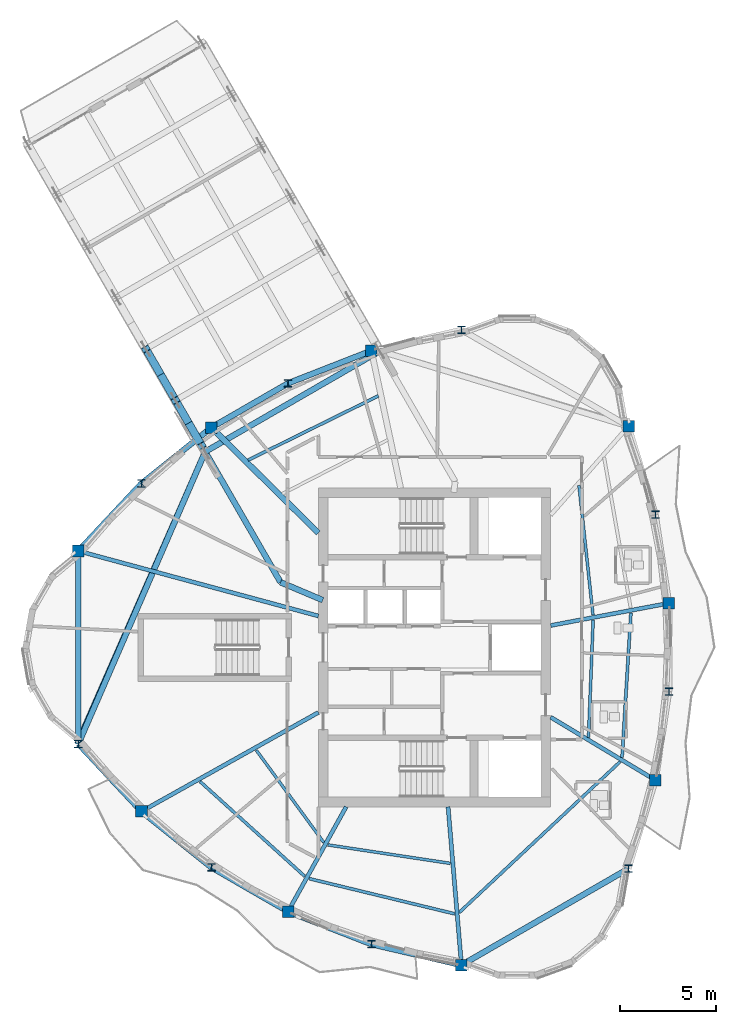
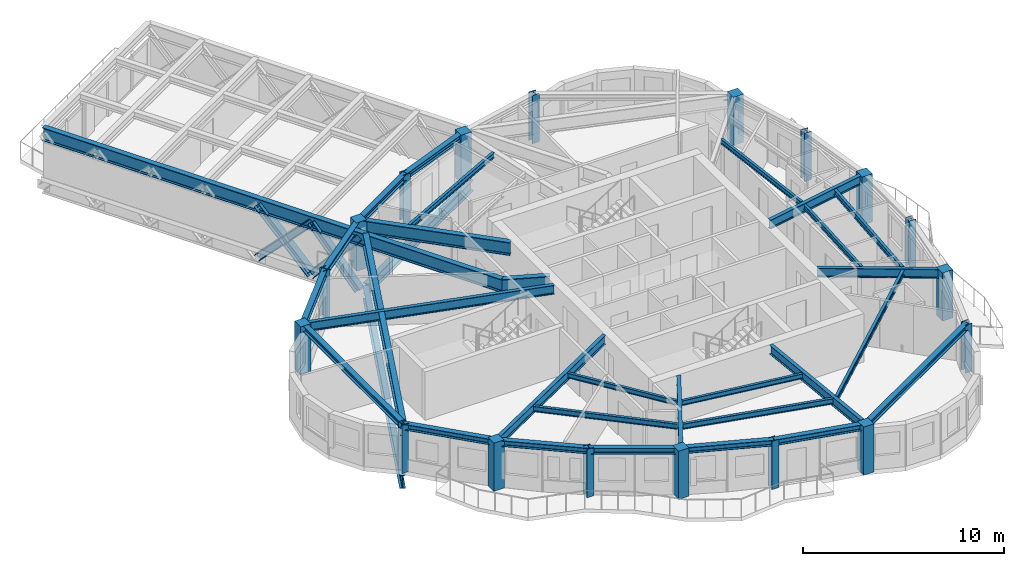
# One storey, part 1 of 14: 31 beams, 18 columns, 5 members.
"""IFC4 building model written with IfcOpenShell, lengths in metres."""

from ifc_helpers import new_model, si_unit, direction, frame, origin, origin_2d, place, context, subcontext, project, spatial, rectangle, i_section, extrude, source, transform, mapped, material, material_profile, profile_set, type_object, element, save


model = new_model("IFC4")

# Units and contexts
model_context = context("Model", 3, precision=1e-05, world=origin(), true_north=direction((0.0, 1.0)))
body_context = subcontext(model_context, "Body", "Model", "MODEL_VIEW")
ifc_project = project(units=[si_unit("LENGTHUNIT", "METRE"), si_unit("AREAUNIT", "SQUARE_METRE"), si_unit("VOLUMEUNIT", "CUBIC_METRE"), si_unit("PLANEANGLEUNIT", "RADIAN"), si_unit("MASSUNIT", "GRAM", prefix="KILO")], contexts=[model_context])

# Site, building, storey
site_placement = place(None, origin())
site = spatial("IfcSite", under=ifc_project, at=site_placement, CompositionType="ELEMENT")
building_placement = place(site_placement, origin())
building = spatial("IfcBuilding", under=site, at=building_placement, Name="Qafzar Sky-Pleat Residences", CompositionType="ELEMENT")
storey_placement = place(building_placement, frame((0.0, 0.0, 205.199951171875)))
storey = spatial("IfcBuildingStorey", under=building, at=storey_placement, Name="L61", CompositionType="ELEMENT", Elevation=205.199951171875)

# Columns
ifc_material_1 = material(Name="Concrete C50/60", Category="concrete")
ifc_material_profile_1 = material_profile(ifc_material_1, rectangle(XDim=0.60009765625, YDim=0.60009765625, at=origin_2d()), Name="RC 600x600")
ifc_profile_set_1 = profile_set([ifc_material_profile_1], Name="Concrete C50/60")
column_type_1 = type_object("IfcColumnType", Name="COL-RC-600", PredefinedType="COLUMN", material=ifc_profile_set_1)
shared_shape_1 = source(origin(), body_context, "Body", "SweptSolid", [
    extrude(rectangle(XDim=0.60009765625, YDim=0.60009765625, at=origin_2d()), origin(), (0.0, 0.0, 1.0), 2.93505859375),
])
for number, where, z_axis, x_axis, name in (
    (1, (11.794921875, 31.02294921875, 0.0), (0.0, 0.0, 1.0), (1.0, 0.0, 0.0), "L61 Perimeter Mega Column 1"),
    (2, (15.0859375, 17.458984375, 0.0), (0.0, 0.0, 1.0), (1.0, 0.0, 0.0), "L61 Perimeter Mega Column 3"),
    (3, (22.71875, 12.243408203125, 0.0), (0.0, 0.0, 1.0), (1.0, 0.0, 0.0), "L61 Perimeter Mega Column 5"),
    (4, (31.75244140625, 9.45458984375, 0.0), (0.0, 0.0, 1.0), (1.0, 0.0, 0.0), "L61 Perimeter Mega Column 7"),
    (5, (41.853515625, 19.08642578125, 0.0), (0.0, 0.0, 1.0), (1.0, 0.0, 0.0), "L61 Perimeter Mega Column 9"),
    (6, (42.55419921875, 28.304443359375, 0.0), (0.0, 0.0, 1.0), (1.0, 0.0, 0.0), "L61 Perimeter Mega Column 11"),
    (7, (40.452392578125, 37.5224609375, 0.0), (0.0, 0.0, 1.0), (1.0, 0.0, 0.0), "L61 Perimeter Mega Column 13"),
    (8, (27.060302734375, 41.454345703125, 0.0), (0.0, 0.0, 1.0), (1.0, 0.0, 0.0), "L61 Perimeter Mega Column 15"),
    (9, (18.727294921875, 37.4521484375, 0.0), (0.0, 0.0, 1.0), (1.0, 0.0, 0.0), "L61 Perimeter Mega Column 17"),
):
    element("IfcColumn", number, at=place(storey_placement, frame(where, z_axis=z_axis, x_axis=x_axis)), inside=storey, type_object=column_type_1, Name=name, PredefinedType="COLUMN", context=body_context, shape_type="MappedRepresentation", body=[
        mapped(shared_shape_1, transform((0.0, 0.0, 0.0), x_axis=(1.0, 0.0, 0.0), y_axis=(0.0, 1.0, 0.0), z_axis=(0.0, 0.0, 1.0), scale=1.0)),
    ])
ifc_material_2 = material(Name="Steel S355", Category="steel")
ifc_material_profile_2 = material_profile(ifc_material_2, i_section(OverallWidth=0.39794921875, OverallDepth=0.386962890625, WebThickness=0.01904296875, FlangeThickness=0.030029296875, FilletRadius=0.014892578125, at=origin_2d()), Name="HD 400x262")
ifc_profile_set_2 = profile_set([ifc_material_profile_2], Name="Steel S355")
column_type_2 = type_object("IfcColumnType", Name="COL-STL-HD262", PredefinedType="PILASTER", material=ifc_profile_set_2)
shared_shape_2 = source(origin(), body_context, "Body", "SweptSolid", [
    extrude(i_section(OverallWidth=0.39794921875, OverallDepth=0.386962890625, WebThickness=0.01904296875, FlangeThickness=0.030029296875, FilletRadius=0.014892578125, at=origin_2d()), origin(), (0.0, 0.0, 1.0), 2.93505859375),
])
for number, where, z_axis, x_axis, name in (
    (10, (11.794921875, 20.97705078125, 0.0), (0.0, 0.0, 1.0), (1.0, 0.0, 0.0), "L61 Perimeter Mega Column 2"),
    (11, (18.727294921875, 14.5478515625, 0.0), (0.0, 0.0, 1.0), (1.0, 0.0, 0.0), "L61 Perimeter Mega Column 4"),
    (12, (27.060302734375, 10.545654296875, 0.0), (0.0, 0.0, 1.0), (1.0, 0.0, 0.0), "L61 Perimeter Mega Column 6"),
    (13, (40.452392578125, 14.4775390625, 0.0), (0.0, 0.0, 1.0), (1.0, 0.0, 0.0), "L61 Perimeter Mega Column 8"),
    (14, (42.55419921875, 23.695556640625, 0.0), (0.0, 0.0, 1.0), (1.0, 0.0, 0.0), "L61 Perimeter Mega Column 10"),
    (15, (41.853515625, 32.91357421875, 0.0), (0.0, 0.0, 1.0), (1.0, 0.0, 0.0), "L61 Perimeter Mega Column 12"),
    (16, (31.75244140625, 42.54541015625, 0.0), (0.0, 0.0, 1.0), (1.0, 0.0, 0.0), "L61 Perimeter Mega Column 14"),
    (17, (22.71875, 39.756591796875, 0.0), (0.0, 0.0, 1.0), (1.0, 0.0, 0.0), "L61 Perimeter Mega Column 16"),
    (18, (15.0859375, 34.541015625, 0.0), (0.0, 0.0, 1.0), (1.0, 0.0, 0.0), "L61 Perimeter Mega Column 18"),
):
    element("IfcColumn", number, at=place(storey_placement, frame(where, z_axis=z_axis, x_axis=x_axis)), inside=storey, type_object=column_type_2, Name=name, PredefinedType="PILASTER", context=body_context, shape_type="MappedRepresentation", body=[
        mapped(shared_shape_2, transform((0.0, 0.0, 0.0), x_axis=(1.0, 0.0, 0.0), y_axis=(0.0, 1.0, 0.0), z_axis=(0.0, 0.0, 1.0), scale=1.0)),
    ])

# Beams
ifc_material_profile_3 = material_profile(ifc_material_2, i_section(OverallWidth=0.300048828125, OverallDepth=0.360107421875, WebThickness=0.012451171875, FlangeThickness=0.0224609375, FilletRadius=0.027099609375, at=origin_2d()), Name="HEB 360")
ifc_profile_set_3 = profile_set([ifc_material_profile_3], Name="Steel S355")
beam_type_1 = type_object("IfcBeamType", Name="BM-SPAN-HEB360", PredefinedType="SPANDREL", material=ifc_profile_set_3)
shared_shape_3 = source(origin(), body_context, "Body", "SweptSolid", [
    extrude(i_section(OverallWidth=0.300048828125, OverallDepth=0.360107421875, WebThickness=0.012451171875, FlangeThickness=0.0224609375, FilletRadius=0.027099609375, at=origin_2d()), origin(), (0.0, 0.0, 1.0), 10.0458984375),
])
for number, where, z_axis, x_axis, name in (
    (19, (11.794921875, 31.02294921875, 2.7529296875), (0.0, -1.0, 0.0), (1.0, 0.0, 0.0), "L61 Perimeter Spandrel Beam 1"),
    (20, (31.75244140625, 9.45458984375, 2.7529296875), (0.866024107753, 0.500002244785, 0.0), (-0.500002244785, 0.866024107753, 0.0), "L61 Perimeter Spandrel Beam 7"),
):
    element("IfcBeam", number, at=place(storey_placement, frame(where, z_axis=z_axis, x_axis=x_axis)), inside=storey, type_object=beam_type_1, Name=name, PredefinedType="SPANDREL", context=body_context, shape_type="MappedRepresentation", body=[
        mapped(shared_shape_3, transform((0.0, 0.0, 0.0), x_axis=(1.0, 0.0, 0.0), y_axis=(0.0, 1.0, 0.0), z_axis=(0.0, 0.0, 1.0), scale=1.0)),
    ])
shared_shape_4 = source(origin(), body_context, "Body", "SweptSolid", [
    extrude(i_section(OverallWidth=0.300048828125, OverallDepth=0.360107421875, WebThickness=0.012451171875, FlangeThickness=0.0224609375, FilletRadius=0.027099609375, at=origin_2d()), origin(), (0.0, 0.0, 1.0), 4.8173828125),
])
for number, where, z_axis, x_axis, name in (
    (21, (11.794921875, 20.97705078125, 2.7529296875), (0.683148410422, -0.730279569301, 0.0), (0.730279569301, 0.683148410422, 0.0), "L61 Perimeter Spandrel Beam 2"),
    (22, (27.060302734375, 10.545654296875, 2.7529296875), (0.974014007378, -0.226487777666, 0.0), (0.226487777666, 0.974014007378, 0.0), "L61 Perimeter Spandrel Beam 6"),
    (23, (15.0859375, 34.541015625, 2.7529296875), (-0.683148410422, -0.730279569301, 0.0), (0.730279569301, -0.683148410422, 0.0), "L61 Perimeter Spandrel Beam 18"),
):
    element("IfcBeam", number, at=place(storey_placement, frame(where, z_axis=z_axis, x_axis=x_axis)), inside=storey, type_object=beam_type_1, Name=name, PredefinedType="SPANDREL", context=body_context, shape_type="MappedRepresentation", body=[
        mapped(shared_shape_4, transform((0.0, 0.0, 0.0), x_axis=(1.0, 0.0, 0.0), y_axis=(0.0, 1.0, 0.0), z_axis=(0.0, 0.0, 1.0), scale=1.0)),
    ])
shared_shape_5 = source(origin(), body_context, "Body", "SweptSolid", [
    extrude(i_section(OverallWidth=0.300048828125, OverallDepth=0.360107421875, WebThickness=0.012451171875, FlangeThickness=0.0224609375, FilletRadius=0.027099609375, at=origin_2d()), origin(), (0.0, 0.0, 1.0), 4.662109375),
])
for number, where, z_axis, x_axis, name in (
    (24, (15.0859375, 17.458984375, 2.7529296875), (0.781073131739, -0.624439559025, 0.0), (0.624439559025, 0.781073131739, 0.0), "L61 Perimeter Spandrel Beam 3"),
    (25, (18.727294921875, 37.4521484375, 2.7529296875), (-0.781073131739, -0.624439559025, 0.0), (0.624439559025, -0.781073131739, 0.0), "L61 Perimeter Spandrel Beam 17"),
):
    element("IfcBeam", number, at=place(storey_placement, frame(where, z_axis=z_axis, x_axis=x_axis)), inside=storey, type_object=beam_type_1, Name=name, PredefinedType="SPANDREL", context=body_context, shape_type="MappedRepresentation", body=[
        mapped(shared_shape_5, transform((0.0, 0.0, 0.0), x_axis=(1.0, 0.0, 0.0), y_axis=(0.0, 1.0, 0.0), z_axis=(0.0, 0.0, 1.0), scale=1.0)),
    ])
shared_shape_6 = source(origin(), body_context, "Body", "SweptSolid", [
    extrude(i_section(OverallWidth=0.300048828125, OverallDepth=0.360107421875, WebThickness=0.012451171875, FlangeThickness=0.0224609375, FilletRadius=0.027099609375, at=origin_2d()), origin(), (0.0, 0.0, 1.0), 4.60888671875),
])
for number, where, z_axis, x_axis, name in (
    (26, (18.727294921875, 14.5478515625, 2.7529296875), (0.8660276872, -0.499996044987, 0.0), (0.499996044987, 0.8660276872, 0.0), "L61 Perimeter Spandrel Beam 4"),
    (27, (22.71875, 39.756591796875, 2.7529296875), (-0.8660276872, -0.499996044987, 0.0), (0.499996044987, -0.8660276872, 0.0), "L61 Perimeter Spandrel Beam 16"),
):
    element("IfcBeam", number, at=place(storey_placement, frame(where, z_axis=z_axis, x_axis=x_axis)), inside=storey, type_object=beam_type_1, Name=name, PredefinedType="SPANDREL", context=body_context, shape_type="MappedRepresentation", body=[
        mapped(shared_shape_6, transform((0.0, 0.0, 0.0), x_axis=(1.0, 0.0, 0.0), y_axis=(0.0, 1.0, 0.0), z_axis=(0.0, 0.0, 1.0), scale=1.0)),
    ])
shared_shape_7 = source(origin(), body_context, "Body", "SweptSolid", [
    extrude(i_section(OverallWidth=0.300048828125, OverallDepth=0.360107421875, WebThickness=0.012451171875, FlangeThickness=0.0224609375, FilletRadius=0.027099609375, at=origin_2d()), origin(), (0.0, 0.0, 1.0), 4.66162109375),
])
for number, where, z_axis, x_axis, name in (
    (28, (22.71875, 12.243408203125, 2.7529296875), (0.931323889652, -0.364191999586, 0.0), (0.364191999586, 0.931323889652, 0.0), "L61 Perimeter Spandrel Beam 5"),
    (29, (27.060302734375, 41.454345703125, 2.7529296875), (-0.931323889652, -0.364191999586, 0.0), (0.364191999586, -0.931323889652, 0.0), "L61 Perimeter Spandrel Beam 15"),
):
    element("IfcBeam", number, at=place(storey_placement, frame(where, z_axis=z_axis, x_axis=x_axis)), inside=storey, type_object=beam_type_1, Name=name, PredefinedType="SPANDREL", context=body_context, shape_type="MappedRepresentation", body=[
        mapped(shared_shape_7, transform((0.0, 0.0, 0.0), x_axis=(1.0, 0.0, 0.0), y_axis=(0.0, 1.0, 0.0), z_axis=(0.0, 0.0, 1.0), scale=1.0)),
    ])
ifc_material_profile_4 = material_profile(ifc_material_2, i_section(OverallWidth=0.2099609375, OverallDepth=0.550048828125, WebThickness=0.010986328125, FlangeThickness=0.01708984375, FilletRadius=0.02392578125, at=origin_2d()), Name="IPE 550")
ifc_profile_set_4 = profile_set([ifc_material_profile_4], Name="Steel S355")
beam_type_2 = type_object("IfcBeamType", Name="BM-SEC-IPE550", PredefinedType="BEAM", material=ifc_profile_set_4)
shared_shape_8 = source(origin(), body_context, "Body", "SweptSolid", [
    extrude(i_section(OverallWidth=0.2099609375, OverallDepth=0.550048828125, WebThickness=0.010986328125, FlangeThickness=0.01708984375, FilletRadius=0.02392578125, at=origin_2d()), origin(), (0.0, 0.0, 1.0), 12.955322265625),
])
beam_1_placement = place(storey_placement, frame((11.794921875, 31.02294921875, 2.657958984375), z_axis=(0.96525657986, -0.261303913167, 0.0), x_axis=(0.261303913167, 0.96525657986, 0.0)))
element("IfcBeam", 30, at=beam_1_placement, inside=storey, type_object=beam_type_2, Name="L61 Radial Floor Girder 1", PredefinedType="BEAM", context=body_context, shape_type="MappedRepresentation", body=[
    mapped(shared_shape_8, transform((0.0, 0.0, 0.0), x_axis=(1.0, 0.0, 0.0), y_axis=(0.0, 1.0, 0.0), z_axis=(0.0, 0.0, 1.0), scale=1.0)),
])
shared_shape_9 = source(origin(), body_context, "Body", "SweptSolid", [
    extrude(i_section(OverallWidth=0.2099609375, OverallDepth=0.550048828125, WebThickness=0.010986328125, FlangeThickness=0.01708984375, FilletRadius=0.02392578125, at=origin_2d()), origin(), (0.0, 0.0, 1.0), 10.55859375),
])
beam_2_placement = place(storey_placement, frame((15.0859375, 17.458984375, 2.657958984375), z_axis=(0.872673146655, 0.488304801438, 0.0), x_axis=(-0.488304801438, 0.872673146655, 0.0)))
element("IfcBeam", 31, at=beam_2_placement, inside=storey, type_object=beam_type_2, Name="L61 Radial Floor Girder 3", PredefinedType="BEAM", context=body_context, shape_type="MappedRepresentation", body=[
    mapped(shared_shape_9, transform((0.0, 0.0, 0.0), x_axis=(1.0, 0.0, 0.0), y_axis=(0.0, 1.0, 0.0), z_axis=(0.0, 0.0, 1.0), scale=1.0)),
])
shared_shape_10 = source(origin(), body_context, "Body", "SweptSolid", [
    extrude(i_section(OverallWidth=0.2099609375, OverallDepth=0.550048828125, WebThickness=0.010986328125, FlangeThickness=0.01708984375, FilletRadius=0.02392578125, at=origin_2d()), origin(), (0.0, 0.0, 1.0), 6.23974609375),
])
beam_3_placement = place(storey_placement, frame((22.71875, 12.243408203125, 2.657958984375), z_axis=(0.48508473236, 0.874467153432, 0.0), x_axis=(-0.874467153432, 0.48508473236, 0.0)))
element("IfcBeam", 32, at=beam_3_placement, inside=storey, type_object=beam_type_2, Name="L61 Radial Floor Girder 5", PredefinedType="BEAM", context=body_context, shape_type="MappedRepresentation", body=[
    mapped(shared_shape_10, transform((0.0, 0.0, 0.0), x_axis=(1.0, 0.0, 0.0), y_axis=(0.0, 1.0, 0.0), z_axis=(0.0, 0.0, 1.0), scale=1.0)),
])
shared_shape_11 = source(origin(), body_context, "Body", "SweptSolid", [
    extrude(i_section(OverallWidth=0.2099609375, OverallDepth=0.550048828125, WebThickness=0.010986328125, FlangeThickness=0.01708984375, FilletRadius=0.02392578125, at=origin_2d()), origin(), (0.0, 0.0, 1.0), 8.27490234375),
])
beam_4_placement = place(storey_placement, frame((31.75244140625, 9.45458984375, 2.657958984375), z_axis=(-0.084439601207, 0.996428599423, 0.0), x_axis=(-0.996428599423, -0.084439601207, 0.0)))
element("IfcBeam", 33, at=beam_4_placement, inside=storey, type_object=beam_type_2, Name="L61 Radial Floor Girder 7", PredefinedType="BEAM", context=body_context, shape_type="MappedRepresentation", body=[
    mapped(shared_shape_11, transform((0.0, 0.0, 0.0), x_axis=(1.0, 0.0, 0.0), y_axis=(0.0, 1.0, 0.0), z_axis=(0.0, 0.0, 1.0), scale=1.0)),
])
shared_shape_12 = source(origin(), body_context, "Body", "SweptSolid", [
    extrude(i_section(OverallWidth=0.2099609375, OverallDepth=0.550048828125, WebThickness=0.010986328125, FlangeThickness=0.01708984375, FilletRadius=0.02392578125, at=origin_2d()), origin(), (0.0, 0.0, 1.0), 6.36279296875),
])
beam_5_placement = place(storey_placement, frame((41.853515625, 19.08642578125, 2.657958984375), z_axis=(-0.857116893235, 0.515121957726, 0.0), x_axis=(-0.515121957726, -0.857116893235, 0.0)))
element("IfcBeam", 34, at=beam_5_placement, inside=storey, type_object=beam_type_2, Name="L61 Radial Floor Girder 9", PredefinedType="BEAM", context=body_context, shape_type="MappedRepresentation", body=[
    mapped(shared_shape_12, transform((0.0, 0.0, 0.0), x_axis=(1.0, 0.0, 0.0), y_axis=(0.0, 1.0, 0.0), z_axis=(0.0, 0.0, 1.0), scale=1.0)),
])
shared_shape_13 = source(origin(), body_context, "Body", "SweptSolid", [
    extrude(i_section(OverallWidth=0.2099609375, OverallDepth=0.550048828125, WebThickness=0.010986328125, FlangeThickness=0.01708984375, FilletRadius=0.02392578125, at=origin_2d()), origin(), (0.0, 0.0, 1.0), 6.262939453125),
])
beam_6_placement = place(storey_placement, frame((42.55419921875, 28.304443359375, 2.657958984375), z_axis=(-0.982634843159, -0.185549898978, 0.0), x_axis=(0.185549898978, -0.982634843159, 0.0)))
element("IfcBeam", 35, at=beam_6_placement, inside=storey, type_object=beam_type_2, Name="L61 Radial Floor Girder 11", PredefinedType="BEAM", context=body_context, shape_type="MappedRepresentation", body=[
    mapped(shared_shape_13, transform((0.0, 0.0, 0.0), x_axis=(1.0, 0.0, 0.0), y_axis=(0.0, 1.0, 0.0), z_axis=(0.0, 0.0, 1.0), scale=1.0)),
])
ifc_material_3 = material(Name="Steel S460", Category="steel")
ifc_material_profile_5 = material_profile(ifc_material_3, i_section(OverallWidth=0.300048828125, OverallDepth=0.800048828125, WebThickness=0.017578125, FlangeThickness=0.032958984375, FilletRadius=0.030029296875, at=origin_2d()), Name="HEB 800")
ifc_profile_set_5 = profile_set([ifc_material_profile_5], Name="Steel S460")
beam_type_3 = type_object("IfcBeamType", Name="BM-CHORD-HEB800", PredefinedType="BEAM", material=ifc_profile_set_5)
shared_shape_14 = source(origin(), body_context, "Body", "SweptSolid", [
    extrude(i_section(OverallWidth=0.300048828125, OverallDepth=0.800048828125, WebThickness=0.017578125, FlangeThickness=0.032958984375, FilletRadius=0.030029296875, at=origin_2d()), origin(), (0.0, 0.0, 1.0), 7.823486328125),
])
beam_7_placement = place(storey_placement, frame((18.727294921875, 37.4521484375, 2.532958984375), z_axis=(0.71231451295, -0.701860409654, 0.0), x_axis=(0.701860409654, 0.71231451295, 0.0)))
element("IfcBeam", 36, at=beam_7_placement, inside=storey, type_object=beam_type_3, Name="L61 Radial Floor Girder 17", PredefinedType="BEAM", context=body_context, shape_type="MappedRepresentation", body=[
    mapped(shared_shape_14, transform((0.0, 0.0, 0.0), x_axis=(1.0, 0.0, 0.0), y_axis=(0.0, 1.0, 0.0), z_axis=(0.0, 0.0, 1.0), scale=1.0)),
])
ifc_material_profile_6 = material_profile(ifc_material_2, i_section(OverallWidth=0.159912109375, OverallDepth=0.330078125, WebThickness=0.007568359375, FlangeThickness=0.011474609375, FilletRadius=0.01806640625, at=origin_2d()), Name="IPE 330")
ifc_profile_set_6 = profile_set([ifc_material_profile_6], Name="Steel S355")
beam_type_4 = type_object("IfcBeamType", Name="BM-JST-IPE330", PredefinedType="JOIST", material=ifc_profile_set_6)
shared_shape_15 = source(origin(), body_context, "Body", "SweptSolid", [
    extrude(i_section(OverallWidth=0.159912109375, OverallDepth=0.330078125, WebThickness=0.007568359375, FlangeThickness=0.011474609375, FilletRadius=0.01806640625, at=origin_2d()), origin(), (0.0, 0.0, 1.0), 7.356689453125),
])
beam_8_placement = place(storey_placement, frame((18.134521484375, 19.018310546875, 2.76806640625), z_axis=(0.741219639236, -0.671262576352, 0.0), x_axis=(0.671262576352, 0.741219639236, 0.0)))
element("IfcBeam", 37, at=beam_8_placement, inside=storey, type_object=beam_type_4, Name="L61 Outer Secondary Floor Joist 2", PredefinedType="JOIST", context=body_context, shape_type="MappedRepresentation", body=[
    mapped(shared_shape_15, transform((0.0, 0.0, 0.0), x_axis=(1.0, 0.0, 0.0), y_axis=(0.0, 1.0, 0.0), z_axis=(0.0, 0.0, 1.0), scale=1.0)),
])
shared_shape_16 = source(origin(), body_context, "Body", "SweptSolid", [
    extrude(i_section(OverallWidth=0.159912109375, OverallDepth=0.330078125, WebThickness=0.007568359375, FlangeThickness=0.011474609375, FilletRadius=0.01806640625, at=origin_2d()), origin(), (0.0, 0.0, 1.0), 7.797607421875),
])
beam_9_placement = place(storey_placement, frame((23.818603515625, 13.957763671875, 2.76806640625), z_axis=(0.971984853244, -0.235043496112, 0.0), x_axis=(0.235043496112, 0.971984853244, 0.0)))
element("IfcBeam", 38, at=beam_9_placement, inside=storey, type_object=beam_type_4, Name="L61 Outer Secondary Floor Joist 3", PredefinedType="JOIST", context=body_context, shape_type="MappedRepresentation", body=[
    mapped(shared_shape_16, transform((0.0, 0.0, 0.0), x_axis=(1.0, 0.0, 0.0), y_axis=(0.0, 1.0, 0.0), z_axis=(0.0, 0.0, 1.0), scale=1.0)),
])
shared_shape_17 = source(origin(), body_context, "Body", "SweptSolid", [
    extrude(i_section(OverallWidth=0.159912109375, OverallDepth=0.330078125, WebThickness=0.007568359375, FlangeThickness=0.011474609375, FilletRadius=0.01806640625, at=origin_2d()), origin(), (0.0, 0.0, 1.0), 11.489501953125),
])
beam_10_placement = place(storey_placement, frame((31.627197265625, 12.185546875, 2.76806640625), z_axis=(0.729600815032, 0.683873270939, 0.0), x_axis=(-0.683873270939, 0.729600815032, 0.0)))
element("IfcBeam", 39, at=beam_10_placement, inside=storey, type_object=beam_type_4, Name="L61 Outer Secondary Floor Joist 4", PredefinedType="JOIST", context=body_context, shape_type="MappedRepresentation", body=[
    mapped(shared_shape_17, transform((0.0, 0.0, 0.0), x_axis=(1.0, 0.0, 0.0), y_axis=(0.0, 1.0, 0.0), z_axis=(0.0, 0.0, 1.0), scale=1.0)),
])
shared_shape_18 = source(origin(), body_context, "Body", "SweptSolid", [
    extrude(i_section(OverallWidth=0.159912109375, OverallDepth=0.330078125, WebThickness=0.007568359375, FlangeThickness=0.011474609375, FilletRadius=0.01806640625, at=origin_2d()), origin(), (0.0, 0.0, 1.0), 7.5419921875),
])
beam_11_placement = place(storey_placement, frame((40.11669921875, 20.27001953125, 2.76806640625), z_axis=(0.060987642663, 0.998138521169, 0.0), x_axis=(-0.998138521169, 0.060987642663, 0.0)))
element("IfcBeam", 40, at=beam_11_placement, inside=storey, type_object=beam_type_4, Name="L61 Outer Secondary Floor Joist 5", PredefinedType="JOIST", context=body_context, shape_type="MappedRepresentation", body=[
    mapped(shared_shape_18, transform((0.0, 0.0, 0.0), x_axis=(1.0, 0.0, 0.0), y_axis=(0.0, 1.0, 0.0), z_axis=(0.0, 0.0, 1.0), scale=1.0)),
])
shared_shape_19 = source(origin(), body_context, "Body", "SweptSolid", [
    extrude(i_section(OverallWidth=0.159912109375, OverallDepth=0.330078125, WebThickness=0.007568359375, FlangeThickness=0.011474609375, FilletRadius=0.01806640625, at=origin_2d()), origin(), (0.0, 0.0, 1.0), 7.576171875),
])
beam_12_placement = place(storey_placement, frame((27.426513671875, 39.105224609375, 2.76806640625), z_axis=(-0.896888380861, -0.442256975386, 0.0), x_axis=(0.442256975386, -0.896888380861, 0.0)))
element("IfcBeam", 41, at=beam_12_placement, inside=storey, type_object=beam_type_4, Name="L61 Outer Secondary Floor Joist 8", PredefinedType="JOIST", context=body_context, shape_type="MappedRepresentation", body=[
    mapped(shared_shape_19, transform((0.0, 0.0, 0.0), x_axis=(1.0, 0.0, 0.0), y_axis=(0.0, 1.0, 0.0), z_axis=(0.0, 0.0, 1.0), scale=1.0)),
])
ifc_material_profile_7 = material_profile(ifc_material_2, i_section(OverallWidth=0.14990234375, OverallDepth=0.300048828125, WebThickness=0.007080078125, FlangeThickness=0.0107421875, FilletRadius=0.014892578125, at=origin_2d()), Name="IPE 300")
ifc_profile_set_7 = profile_set([ifc_material_profile_7], Name="Steel S355")
beam_type_5 = type_object("IfcBeamType", Name="BM-JST-IPE300", PredefinedType="JOIST", material=ifc_profile_set_7)
shared_shape_20 = source(origin(), body_context, "Body", "SweptSolid", [
    extrude(i_section(OverallWidth=0.14990234375, OverallDepth=0.300048828125, WebThickness=0.007080078125, FlangeThickness=0.0107421875, FilletRadius=0.014892578125, at=origin_2d()), origin(), (0.0, 0.0, 1.0), 5.953125),
])
beam_13_placement = place(storey_placement, frame((21.0625, 20.64990234375, 2.782958984375), z_axis=(0.590264364732, -0.807209997292, 0.0), x_axis=(0.807209997292, 0.590264364732, 0.0)))
element("IfcBeam", 42, at=beam_13_placement, inside=storey, type_object=beam_type_5, Name="L61 Inner Secondary Floor Joist 2", PredefinedType="JOIST", context=body_context, shape_type="MappedRepresentation", body=[
    mapped(shared_shape_20, transform((0.0, 0.0, 0.0), x_axis=(1.0, 0.0, 0.0), y_axis=(0.0, 1.0, 0.0), z_axis=(0.0, 0.0, 1.0), scale=1.0)),
])
shared_shape_21 = source(origin(), body_context, "Body", "SweptSolid", [
    extrude(i_section(OverallWidth=0.14990234375, OverallDepth=0.300048828125, WebThickness=0.007080078125, FlangeThickness=0.0107421875, FilletRadius=0.014892578125, at=origin_2d()), origin(), (0.0, 0.0, 1.0), 6.454345703125),
])
beam_14_placement = place(storey_placement, frame((24.78955078125, 15.715576171875, 2.782958984375), z_axis=(0.988786865578, -0.149333634723, 0.0), x_axis=(0.149333634723, 0.988786865578, 0.0)))
element("IfcBeam", 43, at=beam_14_placement, inside=storey, type_object=beam_type_5, Name="L61 Inner Secondary Floor Joist 3", PredefinedType="JOIST", context=body_context, shape_type="MappedRepresentation", body=[
    mapped(shared_shape_21, transform((0.0, 0.0, 0.0), x_axis=(1.0, 0.0, 0.0), y_axis=(0.0, 1.0, 0.0), z_axis=(0.0, 0.0, 1.0), scale=1.0)),
])
shared_shape_22 = source(origin(), body_context, "Body", "SweptSolid", [
    extrude(i_section(OverallWidth=0.14990234375, OverallDepth=0.300048828125, WebThickness=0.007080078125, FlangeThickness=0.0107421875, FilletRadius=0.014892578125, at=origin_2d()), origin(), (0.0, 0.0, 1.0), 6.111572265625),
])
beam_15_placement = place(storey_placement, frame((38.36865234375, 21.319091796875, 2.782958984375), z_axis=(0.039508568351, 0.999219231714, 0.0), x_axis=(-0.999219231714, 0.039508568351, 0.0)))
element("IfcBeam", 44, at=beam_15_placement, inside=storey, type_object=beam_type_5, Name="L61 Inner Secondary Floor Joist 5", PredefinedType="JOIST", context=body_context, shape_type="MappedRepresentation", body=[
    mapped(shared_shape_22, transform((0.0, 0.0, 0.0), x_axis=(1.0, 0.0, 0.0), y_axis=(0.0, 1.0, 0.0), z_axis=(0.0, 0.0, 1.0), scale=1.0)),
])
shared_shape_23 = source(origin(), body_context, "Body", "SweptSolid", [
    extrude(i_section(OverallWidth=0.14990234375, OverallDepth=0.300048828125, WebThickness=0.007080078125, FlangeThickness=0.0107421875, FilletRadius=0.014892578125, at=origin_2d()), origin(), (0.0, 0.0, 1.0), 6.7744140625),
])
beam_16_placement = place(storey_placement, frame((38.60107421875, 27.695068359375, 2.782958984375), z_axis=(-0.107432741117, 0.994212354649, 0.0), x_axis=(-0.994212354649, -0.107432741117, 0.0)))
element("IfcBeam", 45, at=beam_16_placement, inside=storey, type_object=beam_type_5, Name="L61 Inner Secondary Floor Joist 6", PredefinedType="JOIST", context=body_context, shape_type="MappedRepresentation", body=[
    mapped(shared_shape_23, transform((0.0, 0.0, 0.0), x_axis=(1.0, 0.0, 0.0), y_axis=(0.0, 1.0, 0.0), z_axis=(0.0, 0.0, 1.0), scale=1.0)),
])
shared_shape_24 = source(origin(), body_context, "Body", "SweptSolid", [
    extrude(i_section(OverallWidth=0.300048828125, OverallDepth=0.800048828125, WebThickness=0.017578125, FlangeThickness=0.032958984375, FilletRadius=0.030029296875, at=origin_2d()), origin(), (0.0, 0.0, 1.0), 2.385009765625),
])
beam_17_placement = place(storey_placement, frame((22.328369140625, 29.393798828125, 2.531005859375), z_axis=(0.920982791403, -0.389603257095, 0.0), x_axis=(0.389603257095, 0.920982791403, 0.0)))
element("IfcBeam", 46, at=beam_17_placement, inside=storey, type_object=beam_type_3, Name="L61 SB-5 Core Back-Span Tie Girder L", PredefinedType="BEAM", context=body_context, shape_type="MappedRepresentation", body=[
    mapped(shared_shape_24, transform((0.0, 0.0, 0.0), x_axis=(1.0, 0.0, 0.0), y_axis=(0.0, 1.0, 0.0), z_axis=(0.0, 0.0, 1.0), scale=1.0)),
])
shared_shape_25 = source(origin(), body_context, "Body", "SweptSolid", [
    extrude(i_section(OverallWidth=0.300048828125, OverallDepth=0.800048828125, WebThickness=0.017578125, FlangeThickness=0.032958984375, FilletRadius=0.030029296875, at=origin_2d()), origin(), (0.0, 0.0, 1.0), 26.399169921875),
])
beam_18_placement = place(storey_placement, frame((22.328369140625, 29.393798828125, 2.532958984375), z_axis=(-0.49999730459, 0.866026959975, 0.0), x_axis=(-0.866026959975, -0.49999730459, 0.0)))
element("IfcBeam", 47, at=beam_18_placement, inside=storey, type_object=beam_type_3, Name="L61 SB-5 Truss Chord L1", PredefinedType="BEAM", context=body_context, shape_type="MappedRepresentation", body=[
    mapped(shared_shape_25, transform((0.0, 0.0, 0.0), x_axis=(1.0, 0.0, 0.0), y_axis=(0.0, 1.0, 0.0), z_axis=(0.0, 0.0, 1.0), scale=1.0)),
])

# Members
ifc_material_profile_8 = material_profile(ifc_material_3, i_section(OverallWidth=0.300048828125, OverallDepth=0.64990234375, WebThickness=0.01611328125, FlangeThickness=0.031005859375, FilletRadius=0.027099609375, at=origin_2d()), Name="HEB 650")
ifc_profile_set_8 = profile_set([ifc_material_profile_8], Name="Steel S460")
member_type_1 = type_object("IfcMemberType", Name="MEM-SB-CHORD", PredefinedType="CHORD", material=ifc_profile_set_8)
shared_shape_26 = source(origin(), body_context, "Body", "SweptSolid", [
    extrude(i_section(OverallWidth=0.300048828125, OverallDepth=0.64990234375, WebThickness=0.01611328125, FlangeThickness=0.031005859375, FilletRadius=0.027099609375, at=origin_2d()), origin(), (0.0, 0.0, 1.0), 10.5),
])
member_placement = place(storey_placement, frame((18.4033203125, 36.192138671875, -0.47705078125), z_axis=(0.866025284237, 0.500000207062, 0.0), x_axis=(-0.500000207062, 0.866025284237, 0.0)))
element("IfcMember", 48, at=member_placement, inside=storey, type_object=member_type_1, Name="L61 SB-5 Truss Root Tie Chord", PredefinedType="CHORD", context=body_context, shape_type="MappedRepresentation", body=[
    mapped(shared_shape_26, transform((0.0, 0.0, 0.0), x_axis=(1.0, 0.0, 0.0), y_axis=(0.0, 1.0, 0.0), z_axis=(0.0, 0.0, 1.0), scale=1.0)),
])
ifc_material_profile_9 = material_profile(ifc_material_3, i_section(OverallWidth=0.40087890625, OverallDepth=0.39892578125, WebThickness=0.02294921875, FlangeThickness=0.035888671875, FilletRadius=0.014892578125, at=origin_2d()), Name="HD 400x314")
ifc_profile_set_9 = profile_set([ifc_material_profile_9], Name="Steel S460")
member_type_2 = type_object("IfcMemberType", Name="MEM-SB-DIAG", PredefinedType="BRACE", material=ifc_profile_set_9)
shared_shape_27 = source(origin(), body_context, "Body", "SweptSolid", [
    extrude(i_section(OverallWidth=0.40087890625, OverallDepth=0.39892578125, WebThickness=0.02294921875, FlangeThickness=0.035888671875, FilletRadius=0.014892578125, at=origin_2d()), origin(), (0.0, 0.0, 1.0), 4.207275390625),
])
for number, where, z_axis, x_axis, name in (
    (49, (18.223388671875, 36.50390625, -0.6669921875), (-0.324617020075, 0.562247820433, 0.760592649646), (-0.866023343127, -0.500003569146, 0.0), "L61 SB-5 Truss Web Diagonal L1A"),
    (50, (18.223388671875, 36.50390625, 2.532958984375), (-0.324617020075, 0.562247820433, -0.760592649646), (-0.866023343127, -0.500003569146, 0.0), "L61 SB-5 Truss Web Diagonal L1B"),
):
    element("IfcMember", number, at=place(storey_placement, frame(where, z_axis=z_axis, x_axis=x_axis)), inside=storey, type_object=member_type_2, Name=name, PredefinedType="BRACE", context=body_context, shape_type="MappedRepresentation", body=[
        mapped(shared_shape_27, transform((0.0, 0.0, 0.0), x_axis=(1.0, 0.0, 0.0), y_axis=(0.0, 1.0, 0.0), z_axis=(0.0, 0.0, 1.0), scale=1.0)),
    ])
shared_shape_28 = source(origin(), body_context, "Body", "SweptSolid", [
    extrude(i_section(OverallWidth=0.40087890625, OverallDepth=0.39892578125, WebThickness=0.02294921875, FlangeThickness=0.035888671875, FilletRadius=0.014892578125, at=origin_2d()), origin(), (0.0, 0.0, 1.0), 4.449462890625),
])
for number, where, z_axis, x_axis, name in (
    (51, (16.857666015625, 38.869384765625, -0.6669921875), (-0.347380247624, 0.60175630638, 0.719177524184), (-0.866052771896, -0.499952594044, 0.0), "L61 SB-5 Truss Web Diagonal L2A"),
    (52, (16.857666015625, 38.869384765625, 2.532958984375), (-0.347380247624, 0.60175630638, -0.719177524184), (-0.866052771896, -0.499952594044, 0.0), "L61 SB-5 Truss Web Diagonal L2B"),
):
    element("IfcMember", number, at=place(storey_placement, frame(where, z_axis=z_axis, x_axis=x_axis)), inside=storey, type_object=member_type_2, Name=name, PredefinedType="BRACE", context=body_context, shape_type="MappedRepresentation", body=[
        mapped(shared_shape_28, transform((0.0, 0.0, 0.0), x_axis=(1.0, 0.0, 0.0), y_axis=(0.0, 1.0, 0.0), z_axis=(0.0, 0.0, 1.0), scale=1.0)),
    ])

# Beams
shared_shape_29 = source(origin(), body_context, "Body", "SweptSolid", [
    extrude(i_section(OverallWidth=0.300048828125, OverallDepth=0.800048828125, WebThickness=0.017578125, FlangeThickness=0.032958984375, FilletRadius=0.030029296875, at=origin_2d()), origin(), (0.0, 0.0, 1.0), 16.588134765625),
])
beam_19_placement = place(storey_placement, frame((11.794921875, 20.97705078125, 2.532958984375), z_axis=(0.398378427064, 0.917221145008, 0.0), x_axis=(-0.917221145008, 0.398378427064, 0.0)))
element("IfcBeam", 53, at=beam_19_placement, inside=storey, type_object=beam_type_3, Name="L61 SB-5 Wing-Belt Top Chord L", PredefinedType="BEAM", context=body_context, shape_type="MappedRepresentation", body=[
    mapped(shared_shape_29, transform((0.0, 0.0, 0.0), x_axis=(1.0, 0.0, 0.0), y_axis=(0.0, 1.0, 0.0), z_axis=(0.0, 0.0, 1.0), scale=1.0)),
])
shared_shape_30 = source(origin(), body_context, "Body", "SweptSolid", [
    extrude(i_section(OverallWidth=0.300048828125, OverallDepth=0.800048828125, WebThickness=0.017578125, FlangeThickness=0.032958984375, FilletRadius=0.030029296875, at=origin_2d()), origin(), (0.0, 0.0, 1.0), 16.610107421875),
])
beam_20_placement = place(storey_placement, frame((11.739990234375, 20.97705078125, -0.6669921875), z_axis=(0.401158841572, 0.916008506417, 0.0), x_axis=(-0.916008506417, 0.401158841572, 0.0)))
element("IfcBeam", 54, at=beam_20_placement, inside=storey, type_object=beam_type_3, Name="L61 SB-5 Wing-Belt Bottom Chord L", PredefinedType="BEAM", context=body_context, shape_type="MappedRepresentation", body=[
    mapped(shared_shape_30, transform((0.0, 0.0, 0.0), x_axis=(1.0, 0.0, 0.0), y_axis=(0.0, 1.0, 0.0), z_axis=(0.0, 0.0, 1.0), scale=1.0)),
])

save(model, "model.ifc")
